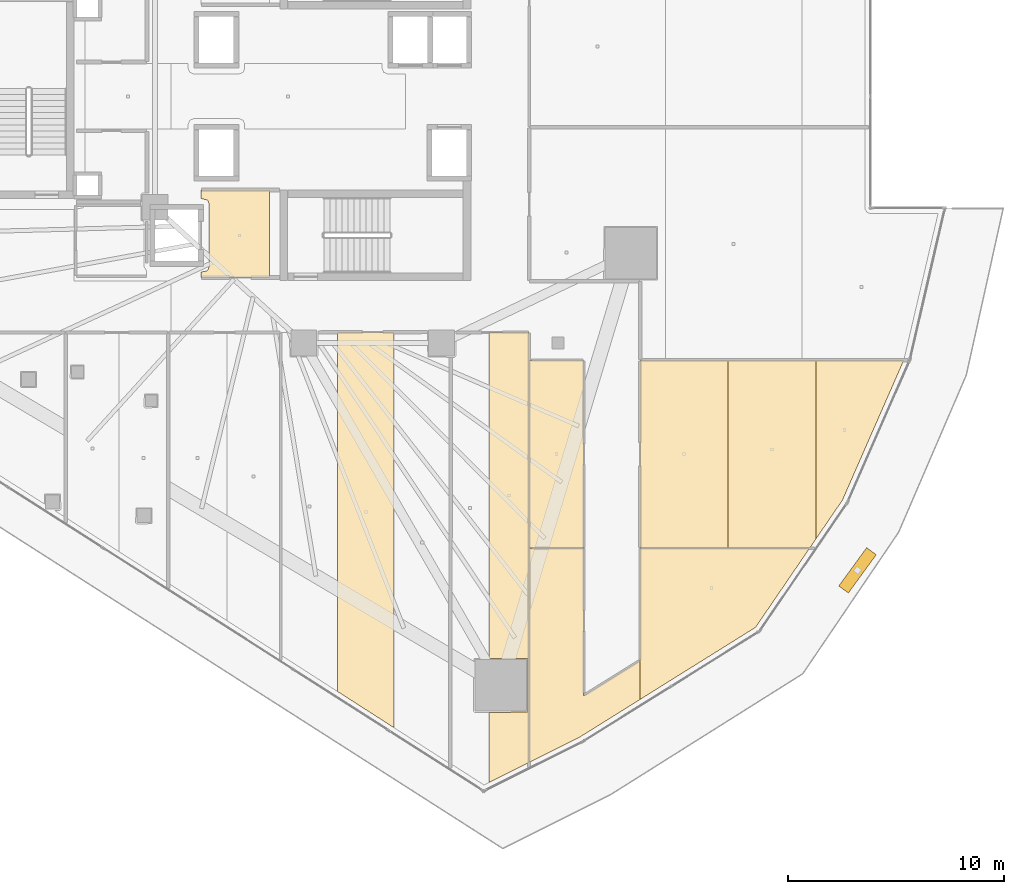
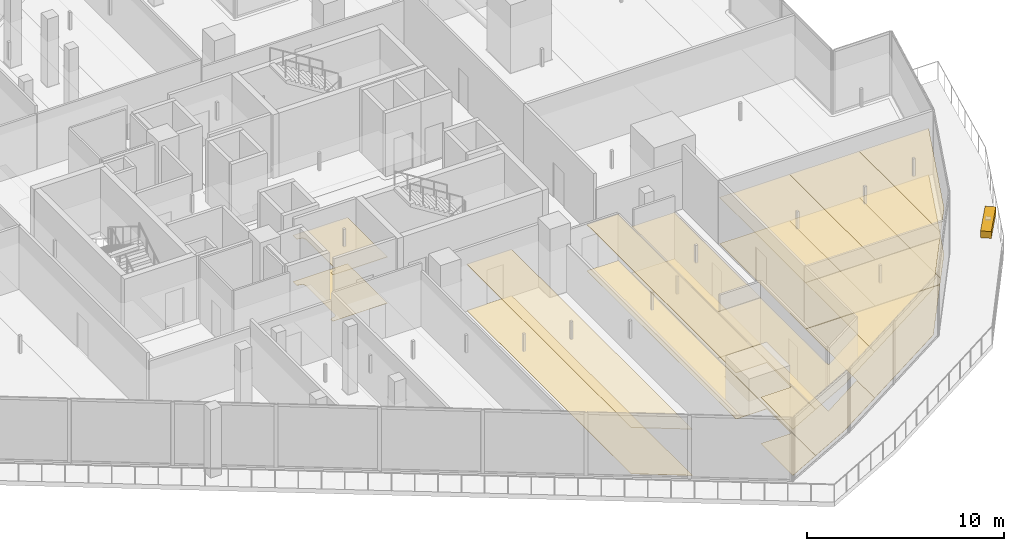
# One storey, part 38 of 44: 18 coverings, 1 shading device.
"""IFC4 building model written with IfcOpenShell, lengths in metres."""

from ifc_helpers import new_model, si_unit, direction, frame, origin, origin_2d, place, context, subcontext, project, spatial, polyline, rectangle, outline, extrude, material, layer, layer_set, type_object, element, save


model = new_model("IFC4")

# Units and contexts
model_context = context("Model", 3, precision=1e-05, world=origin(), true_north=direction((0.0, 1.0)))
body_context = subcontext(model_context, "Body", "Model", "MODEL_VIEW")
ifc_project = project(units=[si_unit("LENGTHUNIT", "METRE"), si_unit("AREAUNIT", "SQUARE_METRE"), si_unit("VOLUMEUNIT", "CUBIC_METRE"), si_unit("PLANEANGLEUNIT", "RADIAN"), si_unit("MASSUNIT", "GRAM", prefix="KILO")], contexts=[model_context])

# Site, building, storey
site_placement = place(None, origin())
site = spatial("IfcSite", under=ifc_project, at=site_placement, CompositionType="ELEMENT")
building_placement = place(site_placement, origin())
building = spatial("IfcBuilding", under=site, at=building_placement, Name="Qorvath Tower", CompositionType="ELEMENT")
storey_placement = place(building_placement, frame((0.0, 0.0, 78.60009765625)))
storey = spatial("IfcBuildingStorey", under=building, at=storey_placement, Name="L17", CompositionType="ELEMENT", Elevation=78.60009765625)

# Coverings
ifc_material_1 = material(Name="Acoustic mineral fibre ceiling tile", Category="gypsum")
ifc_layer_1 = layer(ifc_material_1, 0.030029296875)
ifc_layer_set_1 = layer_set([ifc_layer_1], Name="COV-CEIL")
covering_type_1 = type_object("IfcCoveringType", Name="COV-CEIL", PredefinedType="CEILING", material=ifc_layer_set_1)
covering_1_placement = place(storey_placement, frame((0.0, 0.0, 2.849853515625)))
element("IfcCovering", 1, at=covering_1_placement, inside=storey, type_object=covering_type_1, Name="L17 Suspended Acoustic Ceiling 002", PredefinedType="CEILING", context=body_context, shape_type="SweptSolid", body=[
    extrude(outline(polyline([(-25.18994140625, -8.39501953125), (-25.18994140625, -4.35498046875), (-28.375, -4.35498046875), (-28.375, -4.739990234375), (-28.063232421875, -4.813232421875), (-27.989990234375, -4.989990234375), (-27.989990234375, -7.909912109375), (-28.063232421875, -8.086669921875), (-28.375, -8.159912109375), (-28.375, -8.39501953125), (-25.18994140625, -8.39501953125)])), origin(), (0.0, 0.0, 1.0), 0.030029296875),
])
covering_2_placement = place(storey_placement, frame((0.0, 0.0, 2.849853515625)))
element("IfcCovering", 2, at=covering_2_placement, inside=storey, type_object=covering_type_1, Name="L17 Suspended Acoustic Ceiling 021", PredefinedType="CEILING", context=body_context, shape_type="SweptSolid", body=[
    extrude(outline(polyline([(-22.031005859375, -10.958740234375), (-22.031005859375, -27.615478515625), (-19.408447265625, -29.298095703125), (-19.408447265625, -10.947021484375), (-22.031005859375, -10.958740234375)])), origin(), (0.0, 0.0, 1.0), 0.030029296875),
])
covering_3_placement = place(storey_placement, frame((0.0, 0.0, 2.849853515625)))
element("IfcCovering", 3, at=covering_3_placement, inside=storey, type_object=covering_type_1, Name="L17 Suspended Acoustic Ceiling 024", PredefinedType="CEILING", context=body_context, shape_type="SweptSolid", body=[
    extrude(outline(polyline([(-13.155029296875, -30.91064453125), (-13.155029296875, -10.962890625), (-15.00830078125, -10.962890625), (-15.00830078125, -26.08837890625), (-13.221923828125, -26.08837890625), (-13.221923828125, -28.5732421875), (-15.00830078125, -28.5859375), (-15.00830078125, -31.837158203125), (-13.155029296875, -30.91064453125)])), origin(), (0.0, 0.0, 1.0), 0.030029296875),
])
covering_4_placement = place(storey_placement, frame((0.0, 0.0, 2.849853515625)))
element("IfcCovering", 4, at=covering_4_placement, inside=storey, type_object=covering_type_1, Name="L17 Suspended Acoustic Ceiling 025", PredefinedType="CEILING", context=body_context, shape_type="SweptSolid", body=[
    extrude(outline(polyline([(-13.136962890625, -20.970703125), (-13.136962890625, -30.901611328125), (-10.7705078125, -29.71826171875), (-8.008544921875, -27.99365234375), (-8.008544921875, -26.184814453125), (-10.608642578125, -27.809814453125), (-10.613037109375, -20.970703125), (-13.136962890625, -20.970703125)])), origin(), (0.0, 0.0, 1.0), 0.030029296875),
])
covering_5_placement = place(storey_placement, frame((0.0, 0.0, 2.849853515625)))
element("IfcCovering", 5, at=covering_5_placement, inside=storey, type_object=covering_type_1, Name="L17 Suspended Acoustic Ceiling 026", PredefinedType="CEILING", context=body_context, shape_type="SweptSolid", body=[
    extrude(outline(polyline([(-8.008544921875, -26.184814453125), (-8.008544921875, -27.99365234375), (-2.63671875, -24.639404296875), (-0.130859375, -20.970703125), (-7.987060546875, -20.970703125), (-7.987060546875, -26.17138671875), (-8.008544921875, -26.184814453125)])), origin(), (0.0, 0.0, 1.0), 0.030029296875),
])
covering_6_placement = place(storey_placement, frame((0.0, 0.0, 2.849853515625)))
element("IfcCovering", 6, at=covering_6_placement, inside=storey, type_object=covering_type_1, Name="L17 Suspended Acoustic Ceiling 027", PredefinedType="CEILING", context=body_context, shape_type="SweptSolid", body=[
    extrude(outline(polyline([(-7.987060546875, -12.254150390625), (-7.987060546875, -20.95263671875), (-3.912353515625, -20.95263671875), (-3.912353515625, -12.254150390625), (-7.987060546875, -12.254150390625)])), origin(), (0.0, 0.0, 1.0), 0.030029296875),
])
covering_7_placement = place(storey_placement, frame((0.0, 0.0, 2.849853515625)))
element("IfcCovering", 7, at=covering_7_placement, inside=storey, type_object=covering_type_1, Name="L17 Suspended Acoustic Ceiling 028", PredefinedType="CEILING", context=body_context, shape_type="SweptSolid", body=[
    extrude(outline(polyline([(-3.912353515625, -12.254150390625), (-3.912353515625, -20.95263671875), (-0.11865234375, -20.95263671875), (0.162353515625, -20.541259765625), (0.162353515625, -12.254150390625), (-3.912353515625, -12.254150390625)])), origin(), (0.0, 0.0, 1.0), 0.030029296875),
])
covering_8_placement = place(storey_placement, frame((0.0, 0.0, 2.849853515625)))
element("IfcCovering", 8, at=covering_8_placement, inside=storey, type_object=covering_type_1, Name="L17 Suspended Acoustic Ceiling 029", PredefinedType="CEILING", context=body_context, shape_type="SweptSolid", body=[
    extrude(outline(polyline([(0.162353515625, -12.254150390625), (0.162353515625, -20.541259765625), (1.398681640625, -18.73095703125), (4.237060546875, -12.254150390625), (0.162353515625, -12.254150390625)])), origin(), (0.0, 0.0, 1.0), 0.030029296875),
])
covering_9_placement = place(storey_placement, frame((0.0, 0.0, 2.849853515625)))
element("IfcCovering", 9, at=covering_9_placement, inside=storey, type_object=covering_type_1, Name="L17 Suspended Acoustic Ceiling 030", PredefinedType="CEILING", context=body_context, shape_type="SweptSolid", body=[
    extrude(outline(polyline([(-10.613037109375, -20.95263671875), (-10.613037109375, -12.254150390625), (-13.136962890625, -12.254150390625), (-13.136962890625, -20.95263671875), (-10.613037109375, -20.95263671875)])), origin(), (0.0, 0.0, 1.0), 0.030029296875),
])
ifc_material_2 = material(Name="Low-VOC modular carpet tile", Category="textile")
ifc_layer_2 = layer(ifc_material_2, 0.014892578125)
ifc_layer_set_2 = layer_set([ifc_layer_2], Name="COV-FLOOR-CPT")
covering_type_2 = type_object("IfcCoveringType", Name="COV-FLOOR-CPT", PredefinedType="FLOORING", material=ifc_layer_set_2)
covering_10_placement = place(storey_placement, origin())
element("IfcCovering", 10, at=covering_10_placement, inside=storey, type_object=covering_type_2, Name="L17 Floor Finish 021", PredefinedType="FLOORING", context=body_context, shape_type="SweptSolid", body=[
    extrude(outline(polyline([(-22.031005859375, -10.958740234375), (-22.031005859375, -27.615478515625), (-19.408447265625, -29.298095703125), (-19.408447265625, -10.947021484375), (-22.031005859375, -10.958740234375)])), origin(), (0.0, 0.0, 1.0), 0.014892578125),
])
covering_11_placement = place(storey_placement, origin())
element("IfcCovering", 11, at=covering_11_placement, inside=storey, type_object=covering_type_2, Name="L17 Floor Finish 024", PredefinedType="FLOORING", context=body_context, shape_type="SweptSolid", body=[
    extrude(outline(polyline([(-13.155029296875, -30.91064453125), (-13.155029296875, -10.962890625), (-15.00830078125, -10.962890625), (-15.00830078125, -26.08837890625), (-13.221923828125, -26.08837890625), (-13.221923828125, -28.5732421875), (-15.00830078125, -28.5859375), (-15.00830078125, -31.837158203125), (-13.155029296875, -30.91064453125)])), origin(), (0.0, 0.0, 1.0), 0.014892578125),
])
covering_12_placement = place(storey_placement, origin())
element("IfcCovering", 12, at=covering_12_placement, inside=storey, type_object=covering_type_2, Name="L17 Floor Finish 025", PredefinedType="FLOORING", context=body_context, shape_type="SweptSolid", body=[
    extrude(outline(polyline([(-13.136962890625, -20.970703125), (-13.136962890625, -30.901611328125), (-10.7705078125, -29.71826171875), (-8.008544921875, -27.99365234375), (-8.008544921875, -26.184814453125), (-10.608642578125, -27.809814453125), (-10.613037109375, -20.970703125), (-13.136962890625, -20.970703125)])), origin(), (0.0, 0.0, 1.0), 0.014892578125),
])
covering_13_placement = place(storey_placement, origin())
element("IfcCovering", 13, at=covering_13_placement, inside=storey, type_object=covering_type_2, Name="L17 Floor Finish 026", PredefinedType="FLOORING", context=body_context, shape_type="SweptSolid", body=[
    extrude(outline(polyline([(-8.008544921875, -26.184814453125), (-8.008544921875, -27.99365234375), (-2.63671875, -24.639404296875), (-0.130859375, -20.970703125), (-7.987060546875, -20.970703125), (-7.987060546875, -26.17138671875), (-8.008544921875, -26.184814453125)])), origin(), (0.0, 0.0, 1.0), 0.014892578125),
])
covering_14_placement = place(storey_placement, origin())
element("IfcCovering", 14, at=covering_14_placement, inside=storey, type_object=covering_type_2, Name="L17 Floor Finish 027", PredefinedType="FLOORING", context=body_context, shape_type="SweptSolid", body=[
    extrude(outline(polyline([(-7.987060546875, -12.254150390625), (-7.987060546875, -20.95263671875), (-3.912353515625, -20.95263671875), (-3.912353515625, -12.254150390625), (-7.987060546875, -12.254150390625)])), origin(), (0.0, 0.0, 1.0), 0.014892578125),
])
covering_15_placement = place(storey_placement, origin())
element("IfcCovering", 15, at=covering_15_placement, inside=storey, type_object=covering_type_2, Name="L17 Floor Finish 028", PredefinedType="FLOORING", context=body_context, shape_type="SweptSolid", body=[
    extrude(outline(polyline([(-3.912353515625, -12.254150390625), (-3.912353515625, -20.95263671875), (-0.11865234375, -20.95263671875), (0.162353515625, -20.541259765625), (0.162353515625, -12.254150390625), (-3.912353515625, -12.254150390625)])), origin(), (0.0, 0.0, 1.0), 0.014892578125),
])
covering_16_placement = place(storey_placement, origin())
element("IfcCovering", 16, at=covering_16_placement, inside=storey, type_object=covering_type_2, Name="L17 Floor Finish 029", PredefinedType="FLOORING", context=body_context, shape_type="SweptSolid", body=[
    extrude(outline(polyline([(0.162353515625, -12.254150390625), (0.162353515625, -20.541259765625), (1.398681640625, -18.73095703125), (4.237060546875, -12.254150390625), (0.162353515625, -12.254150390625)])), origin(), (0.0, 0.0, 1.0), 0.014892578125),
])
covering_17_placement = place(storey_placement, origin())
element("IfcCovering", 17, at=covering_17_placement, inside=storey, type_object=covering_type_2, Name="L17 Floor Finish 030", PredefinedType="FLOORING", context=body_context, shape_type="SweptSolid", body=[
    extrude(outline(polyline([(-10.613037109375, -20.95263671875), (-10.613037109375, -12.254150390625), (-13.136962890625, -12.254150390625), (-13.136962890625, -20.95263671875), (-10.613037109375, -20.95263671875)])), origin(), (0.0, 0.0, 1.0), 0.014892578125),
])
ifc_material_3 = material(Name="Polished epoxy terrazzo flooring", Category="concrete")
ifc_layer_3 = layer(ifc_material_3, 0.02001953125)
ifc_layer_set_3 = layer_set([ifc_layer_3], Name="COV-FLOOR-TRZ")
covering_type_3 = type_object("IfcCoveringType", Name="COV-FLOOR-TRZ", PredefinedType="FLOORING", material=ifc_layer_set_3)
covering_18_placement = place(storey_placement, origin())
element("IfcCovering", 18, at=covering_18_placement, inside=storey, type_object=covering_type_3, Name="L17 Floor Finish 002", PredefinedType="FLOORING", context=body_context, shape_type="SweptSolid", body=[
    extrude(outline(polyline([(-25.18994140625, -8.39501953125), (-25.18994140625, -4.35498046875), (-28.375, -4.35498046875), (-28.375, -4.739990234375), (-28.063232421875, -4.813232421875), (-27.989990234375, -4.989990234375), (-27.989990234375, -7.909912109375), (-28.063232421875, -8.086669921875), (-28.375, -8.159912109375), (-28.375, -8.39501953125), (-25.18994140625, -8.39501953125)])), origin(), (0.0, 0.0, 1.0), 0.014892578125),
])

# Shading device
ifc_material_4 = material(Name="Anodised bronze-champagne aluminium", Category="aluminium")
shading_device_type = type_object("IfcShadingDeviceType", Name="SD-LOUVRE", PredefinedType="JALOUSIE", material=ifc_material_4)
shading_device_placement = place(storey_placement, frame((2.094482421875, -21.99462890625, 3.5), z_axis=(0.0, 0.0, 1.0), x_axis=(0.588815535685, 0.808267446416, 0.0)))
element("IfcShadingDevice", 19, at=shading_device_placement, inside=storey, type_object=shading_device_type, Name="Sinusoidal Wave Louvre Blade L17-02", PredefinedType="NOTDEFINED", context=body_context, shape_type="SweptSolid", body=[
    extrude(rectangle(XDim=2.199951171875, YDim=0.550048828125, at=origin_2d()), origin(), (0.0, 0.0, 1.0), 0.419921875),
])

save(model, "model.ifc")
